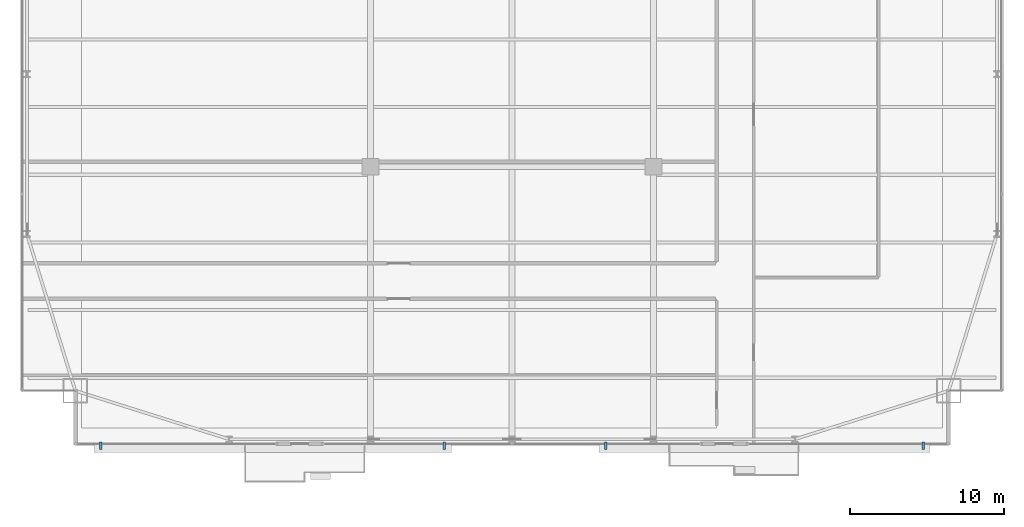
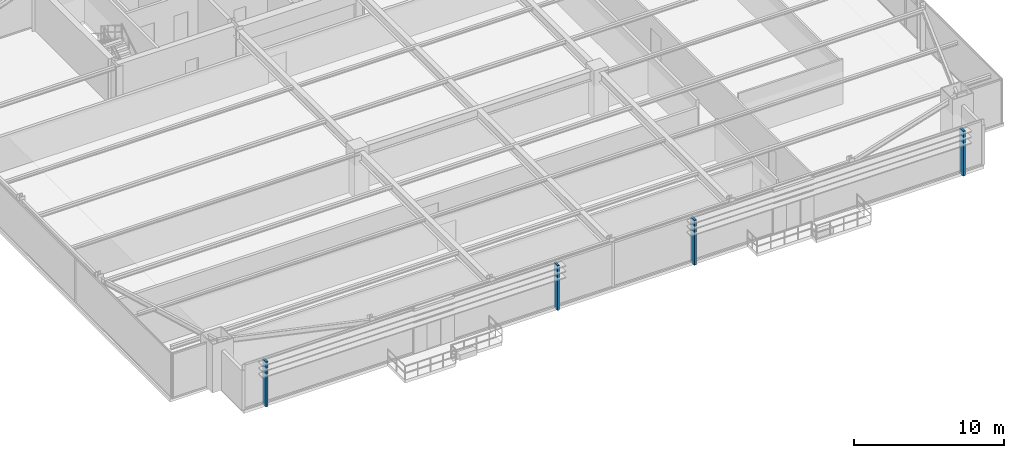
# One storey, part 29 of 31: 4 discrete accessories.
"""IFC4 building model written with IfcOpenShell, lengths in metres."""

import ifcopenshell
import ifcopenshell.guid

model = None  # the IFC model being written
_history = None  # IfcOwnerHistory: only IFC2X3 demands one
_inside = {}  # id of a spatial element -> (the spatial element, [elements in it])
_under = {}  # id of a project, library or spatial element -> (it, [spatial elements below it])
_declared = {}  # id of a project -> (the project, [libraries it declares])
_typed = {}  # id of a type object -> (the type object, [elements of that type])
_made_of = {}  # id of a material, layer set ... -> (it, [elements and type objects made of it])


def new_model(schema):
    """Start an empty IFC model of exactly this schema.

    Asked for "IFC4X3", IfcOpenShell would pick the latest addendum, in which some entities
    have other attributes; the version numbers below select the first issue.
    IFC2X3 requires an IfcOwnerHistory on every rooted entity: one is made here for all.
    """
    global model, _history
    if schema == "IFC4X3":
        model = ifcopenshell.file(schema_version=(4, 3, 0, 0))
    else:
        model = ifcopenshell.file(schema=schema)
    _inside.clear()
    _under.clear()
    _declared.clear()
    _typed.clear()
    _made_of.clear()
    _history = None
    if model.schema == "IFC2X3":
        org = make("IfcOrganization", Name="unknown")
        user = make(
            "IfcPersonAndOrganization",
            ThePerson=make("IfcPerson", FamilyName="unknown"),
            TheOrganization=org,
        )
        app = make(
            "IfcApplication",
            ApplicationDeveloper=org,
            Version="unknown",
            ApplicationFullName="unknown",
            ApplicationIdentifier="unknown",
        )
        _history = make(
            "IfcOwnerHistory",
            OwningUser=user,
            OwningApplication=app,
            ChangeAction="ADDED",
            CreationDate=0,
        )
    return model


def make(cls, **values):
    """One entity of the class cls with the attributes given. An attribute that is None is left unset."""
    return model.create_entity(
        cls, **{name: value for name, value in values.items() if value is not None}
    )


def rooted(cls, **values):
    """An entity with a GlobalId (a new one), such as an element, a storey or a relation."""
    return make(cls, GlobalId=ifcopenshell.guid.new(), OwnerHistory=_history, **values)


def si_unit(unit_type, name, prefix=None):
    """IfcSIUnit, for example si_unit("LENGTHUNIT", "METRE", prefix="MILLI")."""
    return make("IfcSIUnit", UnitType=unit_type, Prefix=prefix, Name=name)


def assignment(units):
    """IfcUnitAssignment: the units of a project."""
    return None if units is None else make("IfcUnitAssignment", Units=units)


def point(xyz):
    """IfcCartesianPoint."""
    return None if xyz is None else make("IfcCartesianPoint", Coordinates=xyz)


def direction(xyz):
    """IfcDirection."""
    return None if xyz is None else make("IfcDirection", DirectionRatios=xyz)


def frame(location, z_axis=None, x_axis=None):
    """IfcAxis2Placement3D, a coordinate frame: its origin and axes. An axis left out is left unset."""
    return make(
        "IfcAxis2Placement3D",
        Location=point(location),
        Axis=direction(z_axis),
        RefDirection=direction(x_axis),
    )


def frame_2d(location, x_axis=None):
    """IfcAxis2Placement2D, a coordinate frame in the plane: its origin and x axis."""
    return make(
        "IfcAxis2Placement2D", Location=point(location), RefDirection=direction(x_axis)
    )


def origin():
    """The frame at (0, 0, 0) with its axes left unset."""
    return frame((0.0, 0.0, 0.0))


def origin_2d():
    """The frame at (0, 0) in the plane with its x axis left unset."""
    return frame_2d((0.0, 0.0))


def place(relative_to, where):
    """IfcLocalPlacement: puts the frame where relative to a parent placement (None: the world)."""
    return make(
        "IfcLocalPlacement", PlacementRelTo=relative_to, RelativePlacement=where
    )


def context(
    kind, dimensions, precision=None, world=None, true_north=None, identifier=None
):
    """IfcGeometricRepresentationContext, for example the 3D "Model" context."""
    return make(
        "IfcGeometricRepresentationContext",
        ContextIdentifier=identifier,
        ContextType=kind,
        CoordinateSpaceDimension=dimensions,
        Precision=precision,
        WorldCoordinateSystem=world,
        TrueNorth=true_north,
    )


def subcontext(parent, identifier, kind, view, scale=None):
    """IfcGeometricRepresentationSubContext, for example "Body" below "Model"."""
    return make(
        "IfcGeometricRepresentationSubContext",
        ContextIdentifier=identifier,
        ContextType=kind,
        ParentContext=parent,
        TargetScale=scale,
        TargetView=view,
    )


def project(units=None, contexts=None):
    """IfcProject with its units and contexts."""
    return rooted(
        "IfcProject",
        Name="project",
        RepresentationContexts=contexts,
        UnitsInContext=assignment(units),
    )


def spatial(cls, under=None, at=None, **own):
    """A site, building, storey or space (cls), placed at a placement, below another one or the project."""
    s = rooted(cls, ObjectPlacement=at, **own)
    if under is not None:
        _under.setdefault(under.id(), (under, []))[1].append(s)
    return s


def profile(cls, at=None, kind="AREA", **sizes):
    """A parametric profile (cls). Its sizes go by their IFC names, for example OverallWidth=200.0."""
    return make(cls, ProfileType=kind, Position=at, **sizes)


def rectangle(**sizes):
    """IfcRectangleProfileDef."""
    return profile("IfcRectangleProfileDef", **sizes)


def extrude(swept, where, along, depth):
    """IfcExtrudedAreaSolid: the profile swept, set in the frame where, extruded along a direction by depth."""
    return make(
        "IfcExtrudedAreaSolid",
        SweptArea=swept,
        Position=where,
        ExtrudedDirection=direction(along),
        Depth=depth,
    )


def shape(context_of_items, identifier, shape_type, items):
    """IfcShapeRepresentation: the items that make up one representation, for example the "Body"."""
    return make(
        "IfcShapeRepresentation",
        ContextOfItems=context_of_items,
        RepresentationIdentifier=identifier,
        RepresentationType=shape_type,
        Items=items,
    )


def source(mapping_origin, context_of_items, identifier, shape_type, items):
    """IfcRepresentationMap: a shape defined once, which mapped items show again and again."""
    return make(
        "IfcRepresentationMap",
        MappingOrigin=mapping_origin,
        MappedRepresentation=shape(context_of_items, identifier, shape_type, items),
    )


def transform(
    local_origin,
    x_axis=None,
    y_axis=None,
    z_axis=None,
    scale=None,
    scale2=None,
    scale3=None,
    uniform=True,
):
    """IfcCartesianTransformationOperator3D, or its non-uniform kind. x_axis, y_axis, z_axis: its Axis1, 2, 3."""
    if uniform:
        return make(
            "IfcCartesianTransformationOperator3D",
            Axis1=direction(x_axis),
            Axis2=direction(y_axis),
            LocalOrigin=point(local_origin),
            Scale=scale,
            Axis3=direction(z_axis),
        )
    return make(
        "IfcCartesianTransformationOperator3DnonUniform",
        Axis1=direction(x_axis),
        Axis2=direction(y_axis),
        LocalOrigin=point(local_origin),
        Scale=scale,
        Axis3=direction(z_axis),
        Scale2=scale2,
        Scale3=scale3,
    )


def mapped(mapping_source, mapping_target):
    """IfcMappedItem: shows the shape of a source again, moved by a transform."""
    return make(
        "IfcMappedItem", MappingSource=mapping_source, MappingTarget=mapping_target
    )


def material(Name=None, Category=None):
    """IfcMaterial."""
    return make("IfcMaterial", Name=Name, Category=Category)


def layer(
    of_material, thickness, ventilated=None, Name=None, Category=None, Priority=None
):
    """IfcMaterialLayer: one layer of a wall or slab, of a material (None: an air gap)."""
    return make(
        "IfcMaterialLayer",
        Material=of_material,
        LayerThickness=thickness,
        IsVentilated=ventilated,
        Name=Name,
        Category=Category,
        Priority=Priority,
    )


def layer_set(layers, Name=None):
    """IfcMaterialLayerSet."""
    return make("IfcMaterialLayerSet", MaterialLayers=layers, LayerSetName=Name)


def made_of(thing, what):
    """Note that an element or type object is made of a material, layer set ...; save() writes the relation."""
    if what is not None:
        _made_of.setdefault(what.id(), (what, []))[1].append(thing)
    return thing


def type_object(cls, material=None, **own):
    """A type object (cls), such as IfcWallType, which elements share."""
    return made_of(rooted(cls, **own), material)


def type_shapes(of_type, sources):
    """Give a type object the sources (RepresentationMaps) that its elements show as mapped items."""
    of_type.RepresentationMaps = sources


def element(
    cls,
    number,
    at=None,
    inside=None,
    cuts=None,
    type_object=None,
    material=None,
    context=None,
    identifier="Body",
    shape_type=None,
    held_by="IfcProductDefinitionShape",
    body=None,
    shapes=None,
    **own,
):
    """One element of the class cls, such as IfcWall. Its Tag is "e" and its number.

    at: its placement. inside: the storey or other place that contains it. cuts: it is an
    opening in that element (IfcRelVoidsElement). A single representation is given by context,
    identifier, shape_type and body (its items); several are given by shapes. held_by: the class
    of the entity that holds the representations. save() writes the other relations.
    """
    e = rooted(cls, Tag="e%d" % number, ObjectPlacement=at, **own)
    if body is not None:
        shapes = [shape(context, identifier, shape_type, body)]
    if shapes is not None:
        e.Representation = make(held_by, Representations=shapes)
    if inside is not None:
        _inside.setdefault(inside.id(), (inside, []))[1].append(e)
    if cuts is not None:
        rooted(
            "IfcRelVoidsElement", RelatingBuildingElement=cuts, RelatedOpeningElement=e
        )
    if type_object is not None:
        _typed.setdefault(type_object.id(), (type_object, []))[1].append(e)
    return made_of(e, material)


def aggregate(whole, parts):
    """IfcRelAggregates: a whole, such as a stair, and the parts it consists of."""
    return rooted("IfcRelAggregates", RelatingObject=whole, RelatedObjects=parts)


def save(model, path):
    """Write the relations noted so far, then the file.

    IfcRelAggregates (storeys below a building ...), IfcRelContainedInSpatialStructure (elements
    in a storey), IfcRelDefinesByType, IfcRelAssociatesMaterial and IfcRelDeclares: one each for
    every whole, place, type object, material and project.
    """
    for whole, parts in _under.values():
        aggregate(whole, parts)
    for where, things in _inside.values():
        rooted(
            "IfcRelContainedInSpatialStructure",
            RelatedElements=things,
            RelatingStructure=where,
        )
    for kind, things in _typed.values():
        rooted("IfcRelDefinesByType", RelatedObjects=things, RelatingType=kind)
    for what, things in _made_of.values():
        rooted("IfcRelAssociatesMaterial", RelatedObjects=things, RelatingMaterial=what)
    for by, libraries in _declared.values():
        rooted("IfcRelDeclares", RelatingContext=by, RelatedDefinitions=libraries)
    model.write(path)


model = new_model("IFC4")

# Units and contexts
model_context = context("Model", 3, precision=1e-05, world=origin(), true_north=direction((0.0, 1.0)))
body_context = subcontext(model_context, "Body", "Model", "MODEL_VIEW")
ifc_project = project(units=[si_unit("LENGTHUNIT", "METRE"), si_unit("AREAUNIT", "SQUARE_METRE"), si_unit("VOLUMEUNIT", "CUBIC_METRE"), si_unit("PLANEANGLEUNIT", "RADIAN"), si_unit("MASSUNIT", "GRAM", prefix="KILO")], contexts=[model_context])

# Site, building, storey
site_placement = place(None, origin())
site = spatial("IfcSite", under=ifc_project, at=site_placement, CompositionType="ELEMENT")
building_placement = place(site_placement, origin())
building = spatial("IfcBuilding", under=site, at=building_placement, Name="Varnel Quay Broadcast Tower", CompositionType="ELEMENT")
storey_placement = place(building_placement, frame((0.0, 0.0, 39.300048828125)))
storey = spatial("IfcBuildingStorey", under=building, at=storey_placement, Name="L08", CompositionType="ELEMENT", Elevation=39.300048828125)

# Discrete accessories
ifc_material = material(Name="Anodised Bronze Aluminium 6063-T6", Category="aluminium")
ifc_layer = layer(ifc_material, 0.47998046875, Name="Anodised Bronze Aluminium 6063-T6")
ifc_layer_set = layer_set([ifc_layer], Name="Anodised Bronze Aluminium 6063-T6")
discrete_accessory_type = type_object("IfcDiscreteAccessoryType", Name="Acc_FacadeBracket", PredefinedType="BRACKET", material=ifc_layer_set)
shared_shape = source(origin(), body_context, "Body", "SweptSolid", [
    extrude(rectangle(XDim=0.159912109375, YDim=0.47998046875, at=origin_2d()), origin(), (0.0, 0.0, 1.0), 3.64990234375),
])
type_shapes(discrete_accessory_type, [shared_shape])
for number, where, z_axis, x_axis, name in (
    (1, (7.25, 1.219970703125, -0.14990234375), (0.0, 0.0, 1.0), (1.0, 0.0, 0.0), "L08 Lobe 1 Louvre Support Bracket 1"),
    (2, (29.60595703125, 1.219970703125, -0.14990234375), (0.0, 0.0, 1.0), (1.0, 0.0, 0.0), "L08 Lobe 1 Louvre Support Bracket 2"),
    (3, (40.10595703125, 1.219970703125, -0.14990234375), (0.0, 0.0, 1.0), (1.0, 0.0, 0.0), "L08 Lobe 2 Louvre Support Bracket 1"),
    (4, (60.75, 1.219970703125, -0.14990234375), (0.0, 0.0, 1.0), (1.0, 0.0, 0.0), "L08 Lobe 2 Louvre Support Bracket 2"),
):
    element("IfcDiscreteAccessory", number, at=place(storey_placement, frame(where, z_axis=z_axis, x_axis=x_axis)), inside=storey, type_object=discrete_accessory_type, Name=name, PredefinedType="BRACKET", context=body_context, shape_type="MappedRepresentation", body=[
        mapped(shared_shape, transform((0.0, 0.0, 0.0), x_axis=(1.0, 0.0, 0.0), y_axis=(0.0, 1.0, 0.0), z_axis=(0.0, 0.0, 1.0), scale=1.0)),
    ])

save(model, "model.ifc")
